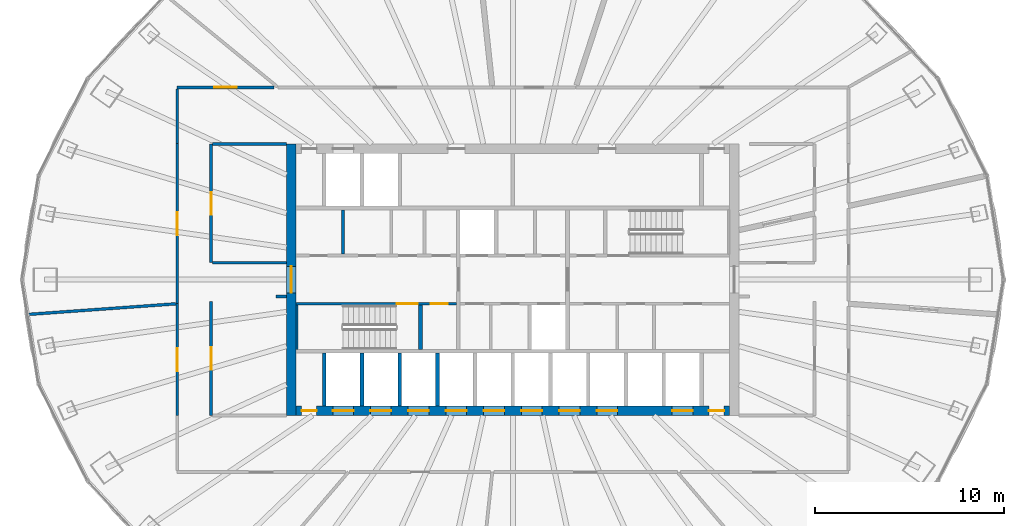
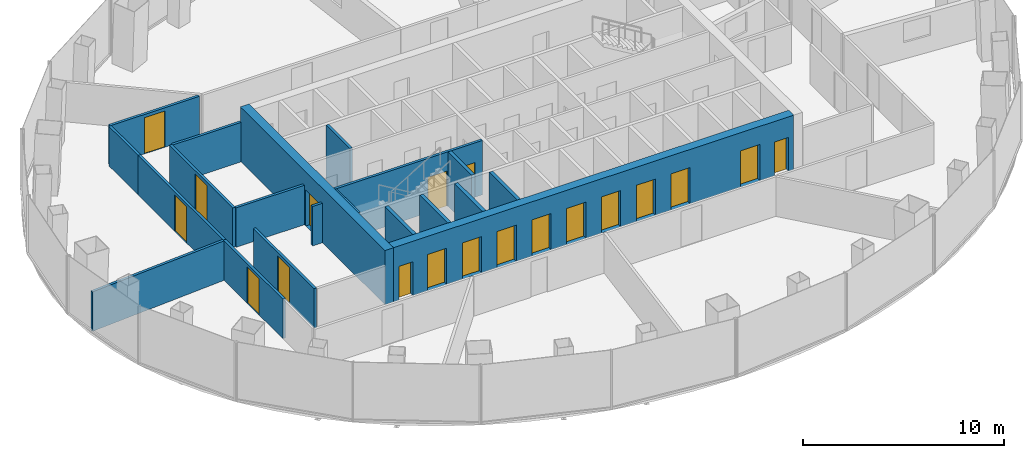
# One storey, part 8 of 12: 20 walls, 19 doors, 19 openings.
"""IFC4 building model written with IfcOpenShell, lengths in metres."""

from ifc_helpers import new_model, si_unit, direction, frame, frame_2d, origin, place, context, subcontext, project, spatial, rectangle, extrude, material, layer, layer_set, type_object, element, fill, save


model = new_model("IFC4")

# Units and contexts
model_context = context("Model", 3, precision=1e-05, world=origin(), true_north=direction((0.0, 1.0)))
body_context = subcontext(model_context, "Body", "Model", "MODEL_VIEW")
ifc_project = project(units=[si_unit("LENGTHUNIT", "METRE"), si_unit("AREAUNIT", "SQUARE_METRE"), si_unit("VOLUMEUNIT", "CUBIC_METRE"), si_unit("PLANEANGLEUNIT", "RADIAN"), si_unit("MASSUNIT", "GRAM", prefix="KILO")], contexts=[model_context])

# Site, building, storey
site_placement = place(None, origin())
site = spatial("IfcSite", under=ifc_project, at=site_placement, CompositionType="ELEMENT")
building_placement = place(site_placement, origin())
building = spatial("IfcBuilding", under=site, at=building_placement, Name="Siaravel Broadcast Tower", CompositionType="ELEMENT")
storey_placement = place(building_placement, frame((0.0, 0.0, 104.5)))
storey = spatial("IfcBuildingStorey", under=building, at=storey_placement, Name="L24", CompositionType="ELEMENT", Elevation=104.5)

# Wall
ifc_material_1 = material(Name="Concrete blockwork", Category="masonry")
ifc_layer_1 = layer(ifc_material_1, 0.14990234375)
ifc_layer_set_1 = layer_set([ifc_layer_1], Name="Concrete blockwork")
wall_type_1 = type_object("IfcWallType", Name="Core partition 150", PredefinedType="PARTITIONING", material=ifc_layer_set_1)
wall_1_placement = place(storey_placement, frame((-9.010009765625, 1.35009765625, 0.0), z_axis=(0.0, 0.0, 1.0), x_axis=(0.0, 1.0, 0.0)))
element("IfcWall", 1, at=wall_1_placement, inside=storey, type_object=wall_type_1, Name="L24 core partition PNW0", PredefinedType="PARTITIONING", context=body_context, shape_type="SweptSolid", body=[
    extrude(rectangle(XDim=2.349853515625, YDim=0.14990234375, at=frame_2d((1.1748046875, 0.0))), origin(), (0.0, 0.0, 1.0), 3.300048828125),
])

# Wall, opening, door
ifc_material_2 = material(Name="Concrete C60/75", Category="concrete")
ifc_layer_2 = layer(ifc_material_2, 0.5)
ifc_layer_set_2 = layer_set([ifc_layer_2], Name="Concrete C60/75")
wall_type_2 = type_object("IfcWallType", Name="Core wall 500", PredefinedType="SHEAR", material=ifc_layer_set_2)
wall_2_placement = place(storey_placement, frame((-11.75, -7.199951171875, 0.0), z_axis=(0.0, 0.0, 1.0), x_axis=(0.0, 1.0, 0.0)))
wall_2 = element("IfcWall", 2, at=wall_2_placement, inside=storey, type_object=wall_type_2, Name="L24 core wall OW", PredefinedType="SHEAR", context=body_context, shape_type="SweptSolid", body=[
    extrude(rectangle(XDim=14.39990234375, YDim=0.5, at=frame_2d((7.199951171875, 0.0))), origin(), (0.0, 0.0, 1.0), 3.300048828125),
])
opening_1_placement = place(wall_2_placement, frame((6.5, 0.0, 0.0)))
opening_1 = element("IfcOpeningElement", 3, at=opening_1_placement, cuts=wall_2, Name="Opening L24-DX-W", PredefinedType="OPENING", context=body_context, shape_type="SweptSolid", body=[
    extrude(rectangle(XDim=1.39990234375, YDim=2.199951171875, at=frame_2d((0.699951171875, 1.10009765625))), frame((0.0, 0.260009765625, 0.0), z_axis=(0.0, -1.0, 0.0), x_axis=(1.0, 0.0, 0.0)), (0.0, 0.0, 1.0), 0.52001953125),
])
ifc_material_3 = material(Name="Steel", Category="steel")
door_type_1 = type_object("IfcDoorType", Name="Core exit door 1400", OperationType="DOUBLE_DOOR_SINGLE_SWING", PredefinedType="DOOR", material=ifc_material_3)
door_1_placement = place(opening_1_placement, origin())
door_1 = element("IfcDoor", 4, at=door_1_placement, inside=storey, type_object=door_type_1, Name="L24 door DX-W", OperationType="DOUBLE_DOOR_SINGLE_SWING", OverallHeight=2.199951171875, OverallWidth=1.39990234375, PredefinedType="DOOR", context=body_context, shape_type="SweptSolid", body=[
    extrude(rectangle(XDim=1.39990234375, YDim=2.199951171875, at=frame_2d((0.699951171875, 1.10009765625))), frame((0.0, 0.02490234375, 0.0), z_axis=(0.0, -1.0, 0.0), x_axis=(1.0, 0.0, 0.0)), (0.0, 0.0, 1.0), 0.050048828125),
])
fill(opening_1, door_1)

# Wall, openings, doors
wall_3_placement = place(storey_placement, frame((-11.5, -6.949951171875, 0.0), z_axis=(0.0, 0.0, 1.0), x_axis=(1.0, 0.0, 0.0)))
wall_3 = element("IfcWall", 5, at=wall_3_placement, inside=storey, type_object=wall_type_2, Name="L24 core wall OS", PredefinedType="SHEAR", context=body_context, shape_type="SweptSolid", body=[
    extrude(rectangle(XDim=23.0, YDim=0.5, at=frame_2d((11.5, 0.0))), origin(), (0.0, 0.0, 1.0), 3.300048828125),
])
opening_2_placement = place(wall_3_placement, frame((1.949951171875, 0.0, 0.0)))
opening_2 = element("IfcOpeningElement", 6, at=opening_2_placement, cuts=wall_3, Name="Opening LD-LP1-L24", PredefinedType="OPENING", context=body_context, shape_type="SweptSolid", body=[
    extrude(rectangle(XDim=1.10009765625, YDim=2.199951171875, at=frame_2d((0.550048828125, 1.10009765625))), frame((0.0, 0.260009765625, 0.0), z_axis=(0.0, -1.0, 0.0), x_axis=(1.0, 0.0, 0.0)), (0.0, 0.0, 1.0), 0.52001953125),
])
opening_3_placement = place(wall_3_placement, frame((3.949951171875, 0.0, 0.0)))
opening_3 = element("IfcOpeningElement", 7, at=opening_3_placement, cuts=wall_3, Name="Opening LD-LP2-L24", PredefinedType="OPENING", context=body_context, shape_type="SweptSolid", body=[
    extrude(rectangle(XDim=1.10009765625, YDim=2.199951171875, at=frame_2d((0.550048828125, 1.10009765625))), frame((0.0, 0.260009765625, 0.0), z_axis=(0.0, -1.0, 0.0), x_axis=(1.0, 0.0, 0.0)), (0.0, 0.0, 1.0), 0.52001953125),
])
opening_4_placement = place(wall_3_placement, frame((5.949951171875, 0.0, 0.0)))
opening_4 = element("IfcOpeningElement", 8, at=opening_4_placement, cuts=wall_3, Name="Opening LD-LP3-L24", PredefinedType="OPENING", context=body_context, shape_type="SweptSolid", body=[
    extrude(rectangle(XDim=1.10009765625, YDim=2.199951171875, at=frame_2d((0.550048828125, 1.10009765625))), frame((0.0, 0.260009765625, 0.0), z_axis=(0.0, -1.0, 0.0), x_axis=(1.0, 0.0, 0.0)), (0.0, 0.0, 1.0), 0.52001953125),
])
opening_5_placement = place(wall_3_placement, frame((7.949951171875, 0.0, 0.0)))
opening_5 = element("IfcOpeningElement", 9, at=opening_5_placement, cuts=wall_3, Name="Opening LD-LP4-L24", PredefinedType="OPENING", context=body_context, shape_type="SweptSolid", body=[
    extrude(rectangle(XDim=1.10009765625, YDim=2.199951171875, at=frame_2d((0.550048828125, 1.10009765625))), frame((0.0, 0.260009765625, 0.0), z_axis=(0.0, -1.0, 0.0), x_axis=(1.0, 0.0, 0.0)), (0.0, 0.0, 1.0), 0.52001953125),
])
opening_6_placement = place(wall_3_placement, frame((9.949951171875, 0.0, 0.0)))
opening_6 = element("IfcOpeningElement", 10, at=opening_6_placement, cuts=wall_3, Name="Opening LD-LP5-L24", PredefinedType="OPENING", context=body_context, shape_type="SweptSolid", body=[
    extrude(rectangle(XDim=1.10009765625, YDim=2.199951171875, at=frame_2d((0.550048828125, 1.10009765625))), frame((0.0, 0.260009765625, 0.0), z_axis=(0.0, -1.0, 0.0), x_axis=(1.0, 0.0, 0.0)), (0.0, 0.0, 1.0), 0.52001953125),
])
opening_7_placement = place(wall_3_placement, frame((11.949951171875, 0.0, 0.0)))
opening_7 = element("IfcOpeningElement", 11, at=opening_7_placement, cuts=wall_3, Name="Opening LD-LP6-L24", PredefinedType="OPENING", context=body_context, shape_type="SweptSolid", body=[
    extrude(rectangle(XDim=1.10009765625, YDim=2.199951171875, at=frame_2d((0.550048828125, 1.10009765625))), frame((0.0, 0.260009765625, 0.0), z_axis=(0.0, -1.0, 0.0), x_axis=(1.0, 0.0, 0.0)), (0.0, 0.0, 1.0), 0.52001953125),
])
opening_8_placement = place(wall_3_placement, frame((13.949951171875, 0.0, 0.0)))
opening_8 = element("IfcOpeningElement", 12, at=opening_8_placement, cuts=wall_3, Name="Opening LD-LP7-L24", PredefinedType="OPENING", context=body_context, shape_type="SweptSolid", body=[
    extrude(rectangle(XDim=1.10009765625, YDim=2.199951171875, at=frame_2d((0.550048828125, 1.10009765625))), frame((0.0, 0.260009765625, 0.0), z_axis=(0.0, -1.0, 0.0), x_axis=(1.0, 0.0, 0.0)), (0.0, 0.0, 1.0), 0.52001953125),
])
opening_9_placement = place(wall_3_placement, frame((15.949951171875, 0.0, 0.0)))
opening_9 = element("IfcOpeningElement", 13, at=opening_9_placement, cuts=wall_3, Name="Opening LD-LP8-L24", PredefinedType="OPENING", context=body_context, shape_type="SweptSolid", body=[
    extrude(rectangle(XDim=1.10009765625, YDim=2.199951171875, at=frame_2d((0.550048828125, 1.10009765625))), frame((0.0, 0.260009765625, 0.0), z_axis=(0.0, -1.0, 0.0), x_axis=(1.0, 0.0, 0.0)), (0.0, 0.0, 1.0), 0.52001953125),
])
opening_10_placement = place(wall_3_placement, frame((19.949951171875, 0.0, 0.0)))
opening_10 = element("IfcOpeningElement", 14, at=opening_10_placement, cuts=wall_3, Name="Opening LD-SV1-L24", PredefinedType="OPENING", context=body_context, shape_type="SweptSolid", body=[
    extrude(rectangle(XDim=1.10009765625, YDim=2.199951171875, at=frame_2d((0.550048828125, 1.10009765625))), frame((0.0, 0.260009765625, 0.0), z_axis=(0.0, -1.0, 0.0), x_axis=(1.0, 0.0, 0.0)), (0.0, 0.0, 1.0), 0.52001953125),
])
opening_11_placement = place(wall_3_placement, frame((0.300048828125, 0.0, 0.0)))
opening_11 = element("IfcOpeningElement", 15, at=opening_11_placement, cuts=wall_3, Name="Opening L24-DRSW", PredefinedType="OPENING", context=body_context, shape_type="SweptSolid", body=[
    extrude(rectangle(XDim=0.800048828125, YDim=2.050048828125, at=frame_2d((0.39990234375, 1.02490234375))), frame((0.0, 0.260009765625, 0.0), z_axis=(0.0, -1.0, 0.0), x_axis=(1.0, 0.0, 0.0)), (0.0, 0.0, 1.0), 0.52001953125),
])
opening_12_placement = place(wall_3_placement, frame((21.89990234375, 0.0, 0.0)))
opening_12 = element("IfcOpeningElement", 16, at=opening_12_placement, cuts=wall_3, Name="Opening L24-DRSE", PredefinedType="OPENING", context=body_context, shape_type="SweptSolid", body=[
    extrude(rectangle(XDim=0.800048828125, YDim=2.050048828125, at=frame_2d((0.39990234375, 1.02490234375))), frame((0.0, 0.260009765625, 0.0), z_axis=(0.0, -1.0, 0.0), x_axis=(1.0, 0.0, 0.0)), (0.0, 0.0, 1.0), 0.52001953125),
])
ifc_material_4 = material(Name="Stainless steel 316L", Category="steel")
door_type_2 = type_object("IfcDoorType", Name="Lift landing door 1100", OperationType="DOUBLE_DOOR_SLIDING", PredefinedType="DOOR", material=ifc_material_4)
door_2_placement = place(opening_2_placement, origin())
door_2 = element("IfcDoor", 17, at=door_2_placement, inside=storey, type_object=door_type_2, Name="Landing door LP1 L24", OperationType="DOUBLE_DOOR_SLIDING", OverallHeight=2.199951171875, OverallWidth=1.10009765625, PredefinedType="DOOR", context=body_context, shape_type="SweptSolid", body=[
    extrude(rectangle(XDim=1.10009765625, YDim=2.199951171875, at=frame_2d((0.550048828125, 1.10009765625))), frame((0.0, 0.02490234375, 0.0), z_axis=(0.0, -1.0, 0.0), x_axis=(1.0, 0.0, 0.0)), (0.0, 0.0, 1.0), 0.050048828125),
])
fill(opening_2, door_2)
door_3_placement = place(opening_3_placement, origin())
door_3 = element("IfcDoor", 18, at=door_3_placement, inside=storey, type_object=door_type_2, Name="Landing door LP2 L24", OperationType="DOUBLE_DOOR_SLIDING", OverallHeight=2.199951171875, OverallWidth=1.10009765625, PredefinedType="DOOR", context=body_context, shape_type="SweptSolid", body=[
    extrude(rectangle(XDim=1.10009765625, YDim=2.199951171875, at=frame_2d((0.550048828125, 1.10009765625))), frame((0.0, 0.02490234375, 0.0), z_axis=(0.0, -1.0, 0.0), x_axis=(1.0, 0.0, 0.0)), (0.0, 0.0, 1.0), 0.050048828125),
])
fill(opening_3, door_3)
door_4_placement = place(opening_4_placement, origin())
door_4 = element("IfcDoor", 19, at=door_4_placement, inside=storey, type_object=door_type_2, Name="Landing door LP3 L24", OperationType="DOUBLE_DOOR_SLIDING", OverallHeight=2.199951171875, OverallWidth=1.10009765625, PredefinedType="DOOR", context=body_context, shape_type="SweptSolid", body=[
    extrude(rectangle(XDim=1.10009765625, YDim=2.199951171875, at=frame_2d((0.550048828125, 1.10009765625))), frame((0.0, 0.02490234375, 0.0), z_axis=(0.0, -1.0, 0.0), x_axis=(1.0, 0.0, 0.0)), (0.0, 0.0, 1.0), 0.050048828125),
])
fill(opening_4, door_4)
door_5_placement = place(opening_5_placement, origin())
door_5 = element("IfcDoor", 20, at=door_5_placement, inside=storey, type_object=door_type_2, Name="Landing door LP4 L24", OperationType="DOUBLE_DOOR_SLIDING", OverallHeight=2.199951171875, OverallWidth=1.10009765625, PredefinedType="DOOR", context=body_context, shape_type="SweptSolid", body=[
    extrude(rectangle(XDim=1.10009765625, YDim=2.199951171875, at=frame_2d((0.550048828125, 1.10009765625))), frame((0.0, 0.02490234375, 0.0), z_axis=(0.0, -1.0, 0.0), x_axis=(1.0, 0.0, 0.0)), (0.0, 0.0, 1.0), 0.050048828125),
])
fill(opening_5, door_5)
door_6_placement = place(opening_6_placement, origin())
door_6 = element("IfcDoor", 21, at=door_6_placement, inside=storey, type_object=door_type_2, Name="Landing door LP5 L24", OperationType="DOUBLE_DOOR_SLIDING", OverallHeight=2.199951171875, OverallWidth=1.10009765625, PredefinedType="DOOR", context=body_context, shape_type="SweptSolid", body=[
    extrude(rectangle(XDim=1.10009765625, YDim=2.199951171875, at=frame_2d((0.550048828125, 1.10009765625))), frame((0.0, 0.02490234375, 0.0), z_axis=(0.0, -1.0, 0.0), x_axis=(1.0, 0.0, 0.0)), (0.0, 0.0, 1.0), 0.050048828125),
])
fill(opening_6, door_6)
door_7_placement = place(opening_7_placement, origin())
door_7 = element("IfcDoor", 22, at=door_7_placement, inside=storey, type_object=door_type_2, Name="Landing door LP6 L24", OperationType="DOUBLE_DOOR_SLIDING", OverallHeight=2.199951171875, OverallWidth=1.10009765625, PredefinedType="DOOR", context=body_context, shape_type="SweptSolid", body=[
    extrude(rectangle(XDim=1.10009765625, YDim=2.199951171875, at=frame_2d((0.550048828125, 1.10009765625))), frame((0.0, 0.02490234375, 0.0), z_axis=(0.0, -1.0, 0.0), x_axis=(1.0, 0.0, 0.0)), (0.0, 0.0, 1.0), 0.050048828125),
])
fill(opening_7, door_7)
door_8_placement = place(opening_8_placement, origin())
door_8 = element("IfcDoor", 23, at=door_8_placement, inside=storey, type_object=door_type_2, Name="Landing door LP7 L24", OperationType="DOUBLE_DOOR_SLIDING", OverallHeight=2.199951171875, OverallWidth=1.10009765625, PredefinedType="DOOR", context=body_context, shape_type="SweptSolid", body=[
    extrude(rectangle(XDim=1.10009765625, YDim=2.199951171875, at=frame_2d((0.550048828125, 1.10009765625))), frame((0.0, 0.02490234375, 0.0), z_axis=(0.0, -1.0, 0.0), x_axis=(1.0, 0.0, 0.0)), (0.0, 0.0, 1.0), 0.050048828125),
])
fill(opening_8, door_8)
door_9_placement = place(opening_9_placement, origin())
door_9 = element("IfcDoor", 24, at=door_9_placement, inside=storey, type_object=door_type_2, Name="Landing door LP8 L24", OperationType="DOUBLE_DOOR_SLIDING", OverallHeight=2.199951171875, OverallWidth=1.10009765625, PredefinedType="DOOR", context=body_context, shape_type="SweptSolid", body=[
    extrude(rectangle(XDim=1.10009765625, YDim=2.199951171875, at=frame_2d((0.550048828125, 1.10009765625))), frame((0.0, 0.02490234375, 0.0), z_axis=(0.0, -1.0, 0.0), x_axis=(1.0, 0.0, 0.0)), (0.0, 0.0, 1.0), 0.050048828125),
])
fill(opening_9, door_9)
door_type_3 = type_object("IfcDoorType", Name="Riser door 800", OperationType="SINGLE_SWING_LEFT", PredefinedType="DOOR", material=ifc_material_3)
door_10_placement = place(opening_11_placement, origin())
door_10 = element("IfcDoor", 25, at=door_10_placement, inside=storey, type_object=door_type_3, Name="L24 door DRSW", OperationType="SINGLE_SWING_LEFT", OverallHeight=2.050048828125, OverallWidth=0.800048828125, PredefinedType="DOOR", context=body_context, shape_type="SweptSolid", body=[
    extrude(rectangle(XDim=0.800048828125, YDim=2.050048828125, at=frame_2d((0.39990234375, 1.02490234375))), frame((0.0, 0.02490234375, 0.0), z_axis=(0.0, -1.0, 0.0), x_axis=(1.0, 0.0, 0.0)), (0.0, 0.0, 1.0), 0.050048828125),
])
fill(opening_11, door_10)
door_11_placement = place(opening_12_placement, origin())
door_11 = element("IfcDoor", 26, at=door_11_placement, inside=storey, type_object=door_type_3, Name="L24 door DRSE", OperationType="SINGLE_SWING_LEFT", OverallHeight=2.050048828125, OverallWidth=0.800048828125, PredefinedType="DOOR", context=body_context, shape_type="SweptSolid", body=[
    extrude(rectangle(XDim=0.800048828125, YDim=2.050048828125, at=frame_2d((0.39990234375, 1.02490234375))), frame((0.0, 0.02490234375, 0.0), z_axis=(0.0, -1.0, 0.0), x_axis=(1.0, 0.0, 0.0)), (0.0, 0.0, 1.0), 0.050048828125),
])
fill(opening_12, door_11)
door_type_4 = type_object("IfcDoorType", Name="Service lift landing door 1100", OperationType="DOUBLE_DOOR_SLIDING", PredefinedType="DOOR", material=ifc_material_4)
door_12_placement = place(opening_10_placement, origin())
door_12 = element("IfcDoor", 27, at=door_12_placement, inside=storey, type_object=door_type_4, Name="Landing door SV1 L24", OperationType="DOUBLE_DOOR_SLIDING", OverallHeight=2.199951171875, OverallWidth=1.10009765625, PredefinedType="DOOR", context=body_context, shape_type="SweptSolid", body=[
    extrude(rectangle(XDim=1.10009765625, YDim=2.199951171875, at=frame_2d((0.550048828125, 1.10009765625))), frame((0.0, 0.02490234375, 0.0), z_axis=(0.0, -1.0, 0.0), x_axis=(1.0, 0.0, 0.0)), (0.0, 0.0, 1.0), 0.050048828125),
])
fill(opening_10, door_12)

# Wall, opening, door
ifc_material_5 = material(Name="Gypsum board partition", Category="gypsum")
ifc_layer_3 = layer(ifc_material_5, 0.14990234375)
ifc_layer_set_3 = layer_set([ifc_layer_3], Name="Gypsum board partition")
wall_type_3 = type_object("IfcWallType", Name="Corridor wall 150", PredefinedType="PARTITIONING", material=ifc_layer_set_3)
wall_4_placement = place(storey_placement, frame((-17.800048828125, 7.2119140625, 0.0), z_axis=(0.0, 0.0, 1.0), x_axis=(0.0, -1.0, 0.0)))
wall_4 = element("IfcWall", 28, at=wall_4_placement, inside=storey, type_object=wall_type_3, Name="L24 partition 11", PredefinedType="PARTITIONING", context=body_context, shape_type="SweptSolid", body=[
    extrude(rectangle(XDim=8.487548828125, YDim=0.14990234375, at=frame_2d((4.24365234375, 0.0))), origin(), (0.0, 0.0, 1.0), 2.39990234375),
])
opening_13_placement = place(wall_4_placement, frame((3.643798828125, 0.0, 0.0)))
opening_13 = element("IfcOpeningElement", 29, at=opening_13_placement, cuts=wall_4, Name="Opening L24-002", PredefinedType="OPENING", context=body_context, shape_type="SweptSolid", body=[
    extrude(rectangle(XDim=1.199951171875, YDim=2.199951171875, at=frame_2d((0.60009765625, 1.10009765625))), frame((0.0, 0.0849609375, 0.0), z_axis=(0.0, -1.0, 0.0), x_axis=(1.0, 0.0, 0.0)), (0.0, 0.0, 1.0), 0.169921875),
])
ifc_material_6 = material(Name="Timber veneer", Category="wood")
door_type_5 = type_object("IfcDoorType", Name="Office double door 1200", OperationType="DOUBLE_DOOR_SINGLE_SWING", PredefinedType="DOOR", material=ifc_material_6)
door_13_placement = place(opening_13_placement, origin())
door_13 = element("IfcDoor", 30, at=door_13_placement, inside=storey, type_object=door_type_5, Name="L24 door to Open plan production office", OperationType="DOUBLE_DOOR_SINGLE_SWING", OverallHeight=2.199951171875, OverallWidth=1.199951171875, PredefinedType="DOOR", context=body_context, shape_type="SweptSolid", body=[
    extrude(rectangle(XDim=1.199951171875, YDim=2.199951171875, at=frame_2d((0.60009765625, 1.10009765625))), frame((0.0, 0.02490234375, 0.0), z_axis=(0.0, -1.0, 0.0), x_axis=(1.0, 0.0, 0.0)), (0.0, 0.0, 1.0), 0.050048828125),
])
fill(opening_13, door_13)

wall_5_placement = place(storey_placement, frame((-16.0, 0.89990234375, 0.0), z_axis=(0.0, 0.0, 1.0), x_axis=(0.0, 1.0, 0.0)))
wall_5 = element("IfcWall", 31, at=wall_5_placement, inside=storey, type_object=wall_type_3, Name="L24 partition 17", PredefinedType="PARTITIONING", context=body_context, shape_type="SweptSolid", body=[
    extrude(rectangle(XDim=6.300048828125, YDim=0.14990234375, at=frame_2d((3.14990234375, 0.0))), origin(), (0.0, 0.0, 1.0), 2.39990234375),
])
opening_14_placement = place(wall_5_placement, frame((2.550048828125, 0.0, 0.0)))
opening_14 = element("IfcOpeningElement", 32, at=opening_14_placement, cuts=wall_5, Name="Opening L24-004", PredefinedType="OPENING", context=body_context, shape_type="SweptSolid", body=[
    extrude(rectangle(XDim=1.199951171875, YDim=2.199951171875, at=frame_2d((0.60009765625, 1.10009765625))), frame((0.0, 0.0849609375, 0.0), z_axis=(0.0, -1.0, 0.0), x_axis=(1.0, 0.0, 0.0)), (0.0, 0.0, 1.0), 0.169921875),
])
door_14_placement = place(opening_14_placement, origin())
door_14 = element("IfcDoor", 33, at=door_14_placement, inside=storey, type_object=door_type_5, Name="L24 door to Open plan production office", OperationType="DOUBLE_DOOR_SINGLE_SWING", OverallHeight=2.199951171875, OverallWidth=1.199951171875, PredefinedType="DOOR", context=body_context, shape_type="SweptSolid", body=[
    extrude(rectangle(XDim=1.199951171875, YDim=2.199951171875, at=frame_2d((0.60009765625, 1.10009765625))), frame((0.0, 0.02490234375, 0.0), z_axis=(0.0, -1.0, 0.0), x_axis=(1.0, 0.0, 0.0)), (0.0, 0.0, 1.0), 0.050048828125),
])
fill(opening_14, door_14)

wall_6_placement = place(storey_placement, frame((-16.0, -7.199951171875, 0.0), z_axis=(0.0, 0.0, 1.0), x_axis=(0.0, 1.0, 0.0)))
wall_6 = element("IfcWall", 34, at=wall_6_placement, inside=storey, type_object=wall_type_3, Name="L24 partition 18", PredefinedType="PARTITIONING", context=body_context, shape_type="SweptSolid", body=[
    extrude(rectangle(XDim=6.053466796875, YDim=0.14990234375, at=frame_2d((3.02685546875, 0.0))), origin(), (0.0, 0.0, 1.0), 2.39990234375),
])
opening_15_placement = place(wall_6_placement, frame((2.4267578125, 0.0, 0.0)))
opening_15 = element("IfcOpeningElement", 35, at=opening_15_placement, cuts=wall_6, Name="Opening L24-007", PredefinedType="OPENING", context=body_context, shape_type="SweptSolid", body=[
    extrude(rectangle(XDim=1.199951171875, YDim=2.199951171875, at=frame_2d((0.60009765625, 1.10009765625))), frame((0.0, 0.0849609375, 0.0), z_axis=(0.0, -1.0, 0.0), x_axis=(1.0, 0.0, 0.0)), (0.0, 0.0, 1.0), 0.169921875),
])
door_15_placement = place(opening_15_placement, origin())
door_15 = element("IfcDoor", 36, at=door_15_placement, inside=storey, type_object=door_type_5, Name="L24 door to Open plan production office", OperationType="DOUBLE_DOOR_SINGLE_SWING", OverallHeight=2.199951171875, OverallWidth=1.199951171875, PredefinedType="DOOR", context=body_context, shape_type="SweptSolid", body=[
    extrude(rectangle(XDim=1.199951171875, YDim=2.199951171875, at=frame_2d((0.60009765625, 1.10009765625))), frame((0.0, 0.02490234375, 0.0), z_axis=(0.0, -1.0, 0.0), x_axis=(1.0, 0.0, 0.0)), (0.0, 0.0, 1.0), 0.050048828125),
])
fill(opening_15, door_15)

wall_7_placement = place(storey_placement, frame((-17.800048828125, -1.275634765625, 0.0), z_axis=(0.0, 0.0, 1.0), x_axis=(0.0, -1.0, 0.0)))
wall_7 = element("IfcWall", 37, at=wall_7_placement, inside=storey, type_object=wall_type_3, Name="L24 partition 20", PredefinedType="PARTITIONING", context=body_context, shape_type="SweptSolid", body=[
    extrude(rectangle(XDim=5.936279296875, YDim=0.14990234375, at=frame_2d((2.96826171875, 0.0))), origin(), (0.0, 0.0, 1.0), 2.39990234375),
])
opening_16_placement = place(wall_7_placement, frame((2.3681640625, 0.0, 0.0)))
opening_16 = element("IfcOpeningElement", 38, at=opening_16_placement, cuts=wall_7, Name="Opening L24-006", PredefinedType="OPENING", context=body_context, shape_type="SweptSolid", body=[
    extrude(rectangle(XDim=1.199951171875, YDim=2.199951171875, at=frame_2d((0.60009765625, 1.10009765625))), frame((0.0, 0.0849609375, 0.0), z_axis=(0.0, -1.0, 0.0), x_axis=(1.0, 0.0, 0.0)), (0.0, 0.0, 1.0), 0.169921875),
])
door_16_placement = place(opening_16_placement, origin())
door_16 = element("IfcDoor", 39, at=door_16_placement, inside=storey, type_object=door_type_5, Name="L24 door to Open plan production office", OperationType="DOUBLE_DOOR_SINGLE_SWING", OverallHeight=2.199951171875, OverallWidth=1.199951171875, PredefinedType="DOOR", context=body_context, shape_type="SweptSolid", body=[
    extrude(rectangle(XDim=1.199951171875, YDim=2.199951171875, at=frame_2d((0.60009765625, 1.10009765625))), frame((0.0, 0.02490234375, 0.0), z_axis=(0.0, -1.0, 0.0), x_axis=(1.0, 0.0, 0.0)), (0.0, 0.0, 1.0), 0.050048828125),
])
fill(opening_16, door_16)

wall_8_placement = place(storey_placement, frame((-12.66455078125, 10.199951171875, 0.0), z_axis=(0.0, 0.0, 1.0), x_axis=(-1.0, 0.0, 0.0)))
wall_8 = element("IfcWall", 40, at=wall_8_placement, inside=storey, type_object=wall_type_3, Name="L24 partition 22", PredefinedType="PARTITIONING", context=body_context, shape_type="SweptSolid", body=[
    extrude(rectangle(XDim=5.135498046875, YDim=0.14990234375, at=frame_2d((2.56787109375, 0.0))), origin(), (0.0, 0.0, 1.0), 2.39990234375),
])
opening_17_placement = place(wall_8_placement, frame((1.9677734375, 0.0, 0.0)))
opening_17 = element("IfcOpeningElement", 41, at=opening_17_placement, cuts=wall_8, Name="Opening L24-003", PredefinedType="OPENING", context=body_context, shape_type="SweptSolid", body=[
    extrude(rectangle(XDim=1.199951171875, YDim=2.199951171875, at=frame_2d((0.60009765625, 1.10009765625))), frame((0.0, 0.0849609375, 0.0), z_axis=(0.0, -1.0, 0.0), x_axis=(1.0, 0.0, 0.0)), (0.0, 0.0, 1.0), 0.169921875),
])
door_17_placement = place(opening_17_placement, origin())
door_17 = element("IfcDoor", 42, at=door_17_placement, inside=storey, type_object=door_type_5, Name="L24 door to Open plan production office", OperationType="DOUBLE_DOOR_SINGLE_SWING", OverallHeight=2.199951171875, OverallWidth=1.199951171875, PredefinedType="DOOR", context=body_context, shape_type="SweptSolid", body=[
    extrude(rectangle(XDim=1.199951171875, YDim=2.199951171875, at=frame_2d((0.60009765625, 1.10009765625))), frame((0.0, 0.02490234375, 0.0), z_axis=(0.0, -1.0, 0.0), x_axis=(1.0, 0.0, 0.0)), (0.0, 0.0, 1.0), 0.050048828125),
])
fill(opening_17, door_17)

# Walls
for number, where, z_axis, x_axis, name in (
    (43, (-15.923095703125, 7.199951171875, 0.0), (0.0, 0.0, 1.0), (1.0, 0.0, 0.0), "L24 partition 26"),
    (44, (-12.0, 0.89990234375, 0.0), (0.0, 0.0, 1.0), (-1.0, 0.0, 0.0), "L24 partition 28"),
):
    element("IfcWall", number, at=place(storey_placement, frame(where, z_axis=z_axis, x_axis=x_axis)), inside=storey, type_object=wall_type_3, Name=name, PredefinedType="PARTITIONING", context=body_context, shape_type="SweptSolid", body=[
        extrude(rectangle(XDim=3.923095703125, YDim=0.14990234375, at=frame_2d((1.96142578125, 0.0))), origin(), (0.0, 0.0, 1.0), 2.39990234375),
    ])
wall_9_placement = place(storey_placement, frame((-17.800048828125, 10.123046875, 0.0), z_axis=(0.0, 0.0, 1.0), x_axis=(0.0, -1.0, 0.0)))
element("IfcWall", 45, at=wall_9_placement, inside=storey, type_object=wall_type_3, Name="L24 partition 37", PredefinedType="PARTITIONING", context=body_context, shape_type="SweptSolid", body=[
    extrude(rectangle(XDim=2.91015625, YDim=0.14990234375, at=frame_2d((1.455078125, 0.0))), origin(), (0.0, 0.0, 1.0), 2.39990234375),
])
wall_10_placement = place(storey_placement, frame((-12.558837890625, -0.89990234375, 0.0), z_axis=(0.0, 0.0, 1.0), x_axis=(1.0, 0.0, 0.0)))
element("IfcWall", 46, at=wall_10_placement, inside=storey, type_object=wall_type_3, Name="L24 partition 40", PredefinedType="PARTITIONING", context=body_context, shape_type="SweptSolid", body=[
    extrude(rectangle(XDim=0.558837890625, YDim=0.14990234375, at=frame_2d((0.279296875, 0.0))), origin(), (0.0, 0.0, 1.0), 2.39990234375),
])
ifc_layer_4 = layer(ifc_material_5, 0.14990234375)
ifc_layer_set_4 = layer_set([ifc_layer_4], Name="Gypsum board partition")
wall_type_4 = type_object("IfcWallType", Name="Room partition 150", PredefinedType="PARTITIONING", material=ifc_layer_set_4)
wall_11_placement = place(storey_placement, frame((-25.7705078125, -1.8466796875, 0.0), z_axis=(0.0, 0.0, 1.0), x_axis=(0.997442231, 0.071477241, 0.0)))
element("IfcWall", 47, at=wall_11_placement, inside=storey, type_object=wall_type_4, Name="L24 partition 13", PredefinedType="PARTITIONING", context=body_context, shape_type="SweptSolid", body=[
    extrude(rectangle(XDim=7.9140625, YDim=0.14990234375, at=frame_2d((3.95703125, 0.0))), origin(), (0.0, 0.0, 1.0), 2.39990234375),
])
ifc_layer_5 = layer(ifc_material_2, 0.10009765625)
ifc_layer_set_5 = layer_set([ifc_layer_5], Name="Concrete C60/75")
wall_type_5 = type_object("IfcWallType", Name="Shaft wall 100", PredefinedType="SHEAR", material=ifc_layer_set_5)
wall_12_placement = place(storey_placement, frame((-11.449951171875, -3.699951171875, 0.0), z_axis=(0.0, 0.0, 1.0), x_axis=(0.0, 1.0, 0.0)))
element("IfcWall", 48, at=wall_12_placement, inside=storey, type_object=wall_type_5, Name="L24 core wall ST1W", PredefinedType="SHEAR", context=body_context, shape_type="SweptSolid", body=[
    extrude(rectangle(XDim=2.349853515625, YDim=0.10009765625, at=frame_2d((1.1748046875, 0.0))), origin(), (0.0, 0.0, 1.0), 3.300048828125),
])

# Wall, openings, doors
ifc_layer_6 = layer(ifc_material_2, 0.14990234375)
ifc_layer_set_6 = layer_set([ifc_layer_6], Name="Concrete C60/75")
wall_type_6 = type_object("IfcWallType", Name="Shaft wall 150", PredefinedType="SHEAR", material=ifc_layer_set_6)
wall_13_placement = place(storey_placement, frame((-11.5, -1.27490234375, 0.0), z_axis=(0.0, 0.0, 1.0), x_axis=(1.0, 0.0, 0.0)))
wall_13 = element("IfcWall", 49, at=wall_13_placement, inside=storey, type_object=wall_type_6, Name="L24 core wall CSW", PredefinedType="SHEAR", context=body_context, shape_type="SweptSolid", body=[
    extrude(rectangle(XDim=8.5, YDim=0.14990234375, at=frame_2d((4.25, 0.0))), origin(), (0.0, 0.0, 1.0), 3.300048828125),
])
opening_18_placement = place(wall_13_placement, frame((5.35009765625, 0.0, 0.0)))
opening_18 = element("IfcOpeningElement", 50, at=opening_18_placement, cuts=wall_13, Name="Opening L24-DS-1", PredefinedType="OPENING", context=body_context, shape_type="SweptSolid", body=[
    extrude(rectangle(XDim=1.10009765625, YDim=2.14990234375, at=frame_2d((0.550048828125, 1.074951171875))), frame((0.0, 0.0849609375, 0.0), z_axis=(0.0, -1.0, 0.0), x_axis=(1.0, 0.0, 0.0)), (0.0, 0.0, 1.0), 0.169921875),
])
opening_19_placement = place(wall_13_placement, frame((7.14990234375, 0.0, 0.0)))
opening_19 = element("IfcOpeningElement", 51, at=opening_19_placement, cuts=wall_13, Name="Opening L24-DSW0", PredefinedType="OPENING", context=body_context, shape_type="SweptSolid", body=[
    extrude(rectangle(XDim=0.89990234375, YDim=2.10009765625, at=frame_2d((0.449951171875, 1.050048828125))), frame((0.0, 0.0849609375, 0.0), z_axis=(0.0, -1.0, 0.0), x_axis=(1.0, 0.0, 0.0)), (0.0, 0.0, 1.0), 0.169921875),
])
door_type_6 = type_object("IfcDoorType", Name="Core room door 900", OperationType="SINGLE_SWING_LEFT", PredefinedType="DOOR", material=ifc_material_6)
door_18_placement = place(opening_19_placement, origin())
door_18 = element("IfcDoor", 52, at=door_18_placement, inside=storey, type_object=door_type_6, Name="L24 door DSW0", OperationType="SINGLE_SWING_LEFT", OverallHeight=2.10009765625, OverallWidth=0.89990234375, PredefinedType="DOOR", context=body_context, shape_type="SweptSolid", body=[
    extrude(rectangle(XDim=0.89990234375, YDim=2.10009765625, at=frame_2d((0.449951171875, 1.050048828125))), frame((0.0, 0.02490234375, 0.0), z_axis=(0.0, -1.0, 0.0), x_axis=(1.0, 0.0, 0.0)), (0.0, 0.0, 1.0), 0.050048828125),
])
fill(opening_19, door_18)
door_type_7 = type_object("IfcDoorType", Name="Stair door 1100", OperationType="SINGLE_SWING_LEFT", PredefinedType="DOOR", material=ifc_material_3)
door_19_placement = place(opening_18_placement, origin())
door_19 = element("IfcDoor", 53, at=door_19_placement, inside=storey, type_object=door_type_7, Name="L24 door DS-1", OperationType="SINGLE_SWING_LEFT", OverallHeight=2.14990234375, OverallWidth=1.10009765625, PredefinedType="DOOR", context=body_context, shape_type="SweptSolid", body=[
    extrude(rectangle(XDim=1.10009765625, YDim=2.14990234375, at=frame_2d((0.550048828125, 1.074951171875))), frame((0.0, 0.02490234375, 0.0), z_axis=(0.0, -1.0, 0.0), x_axis=(1.0, 0.0, 0.0)), (0.0, 0.0, 1.0), 0.050048828125),
])
fill(opening_18, door_19)

# Walls
ifc_layer_7 = layer(ifc_material_2, 0.199951171875)
ifc_layer_set_7 = layer_set([ifc_layer_7], Name="Concrete C60/75")
wall_type_7 = type_object("IfcWallType", Name="Shaft wall 200", PredefinedType="SHEAR", material=ifc_layer_set_7)
for number, where, z_axis, x_axis, name in (
    (54, (-10.0, -6.699951171875, 0.0), (0.0, 0.0, 1.0), (0.0, 1.0, 0.0), "L24 core wall SWS0"),
    (55, (-8.0, -6.699951171875, 0.0), (0.0, 0.0, 1.0), (0.0, 1.0, 0.0), "L24 core wall SWS1"),
    (56, (-6.0, -6.699951171875, 0.0), (0.0, 0.0, 1.0), (0.0, 1.0, 0.0), "L24 core wall SWS2"),
    (57, (-4.0, -6.699951171875, 0.0), (0.0, 0.0, 1.0), (0.0, 1.0, 0.0), "L24 core wall SWS3"),
):
    element("IfcWall", number, at=place(storey_placement, frame(where, z_axis=z_axis, x_axis=x_axis)), inside=storey, type_object=wall_type_7, Name=name, PredefinedType="SHEAR", context=body_context, shape_type="SweptSolid", body=[
        extrude(rectangle(XDim=2.800048828125, YDim=0.199951171875, at=frame_2d((1.39990234375, 0.0))), origin(), (0.0, 0.0, 1.0), 3.300048828125),
    ])
wall_14_placement = place(storey_placement, frame((-4.89990234375, -3.699951171875, 0.0), z_axis=(0.0, 0.0, 1.0), x_axis=(0.0, 1.0, 0.0)))
element("IfcWall", 58, at=wall_14_placement, inside=storey, type_object=wall_type_7, Name="L24 core wall ST1E", PredefinedType="SHEAR", context=body_context, shape_type="SweptSolid", body=[
    extrude(rectangle(XDim=2.349853515625, YDim=0.199951171875, at=frame_2d((1.1748046875, 0.0))), origin(), (0.0, 0.0, 1.0), 3.300048828125),
])

save(model, "model.ifc")
